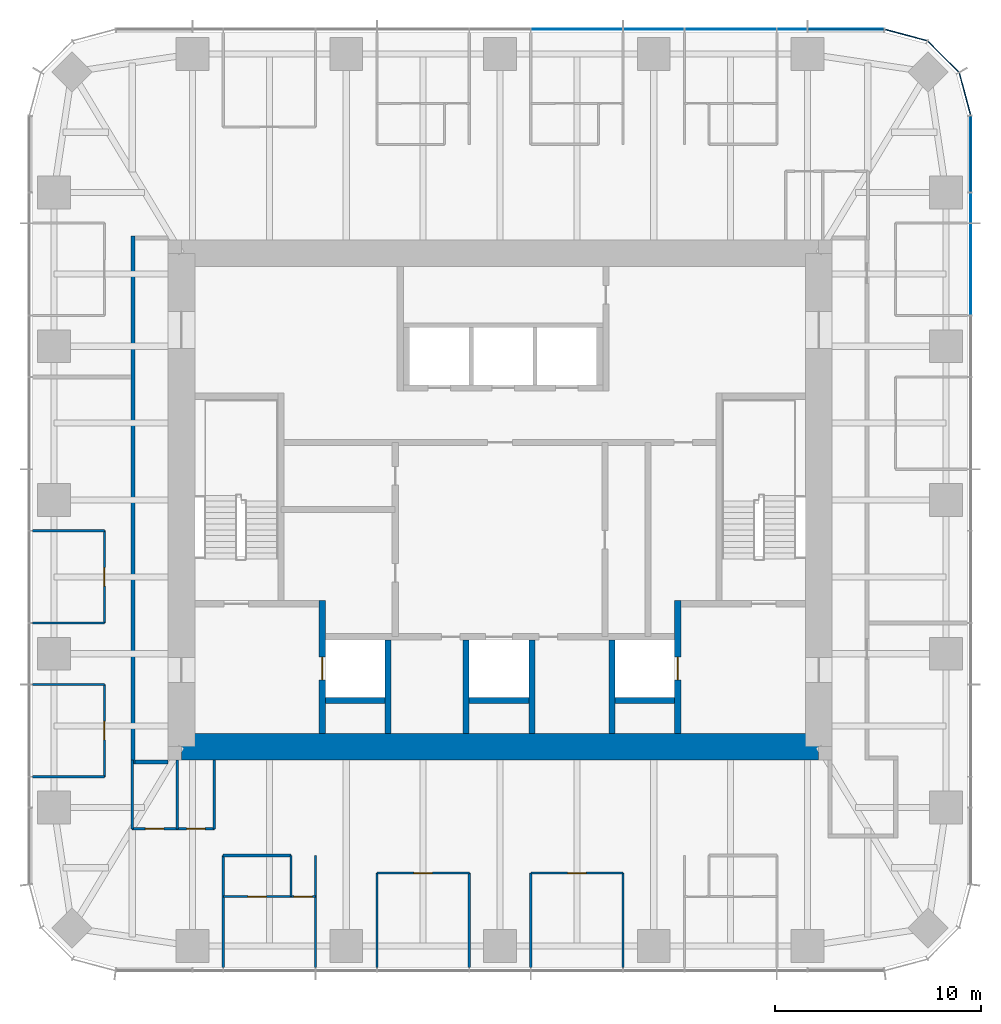
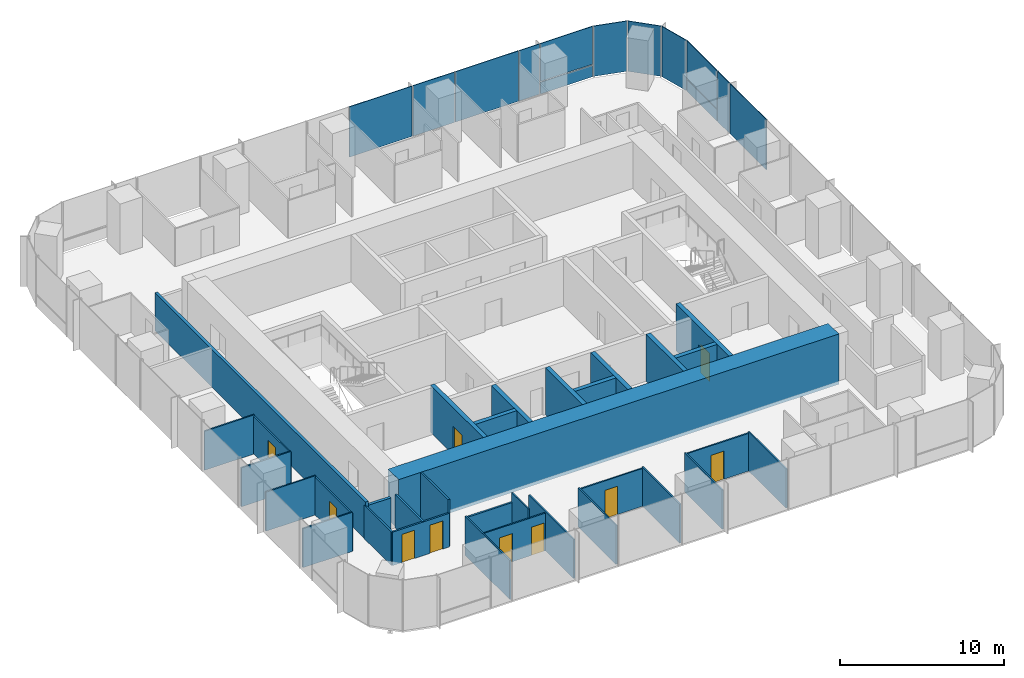
# One storey, part 8 of 12: 33 walls, 13 plates, 10 doors, 10 openings, 3 elements without a shape of their own.
"""IFC4 building model written with IfcOpenShell, lengths in metres."""

from ifc_helpers import new_model, si_unit, direction, frame, frame_2d, origin, origin_2d, place, context, subcontext, project, spatial, rectangle, extrude, material, layer, layer_set, type_object, element, fill, aggregate, save


model = new_model("IFC4")

# Units and contexts
model_context = context("Model", 3, precision=1e-05, world=origin(), true_north=direction((0.0, 1.0)))
body_context = subcontext(model_context, "Body", "Model", "MODEL_VIEW")
ifc_project = project(units=[si_unit("LENGTHUNIT", "METRE"), si_unit("AREAUNIT", "SQUARE_METRE"), si_unit("VOLUMEUNIT", "CUBIC_METRE"), si_unit("PLANEANGLEUNIT", "RADIAN"), si_unit("MASSUNIT", "GRAM", prefix="KILO")], contexts=[model_context])

# Site, building, storey
site_placement = place(None, origin())
site = spatial("IfcSite", under=ifc_project, at=site_placement, CompositionType="ELEMENT")
building_placement = place(site_placement, origin())
building = spatial("IfcBuilding", under=site, at=building_placement, Name="Khuree Lantern Residences", CompositionType="ELEMENT")
storey_placement = place(building_placement, frame((0.0, 0.0, 345.75)))
storey = spatial("IfcBuildingStorey", under=building, at=storey_placement, Name="L87", CompositionType="ELEMENT", Elevation=345.75)

# Curtain wall, plates
ifc_material_1 = material(Name="Bronze anodised aluminium", Category="aluminium")
curtain_wall_type_1 = type_object("IfcCurtainWallType", Name="CW-T2 TOWER CORNER CURTAIN WALL", PredefinedType="USERDEFINED", material=ifc_material_1)
curtain_wall_1_placement = place(storey_placement, origin())
curtain_wall_1 = element("IfcCurtainWall", 1, at=curtain_wall_1_placement, inside=storey, type_object=curtain_wall_type_1, Name="L87 NORTH-EAST CORNER CURTAIN WALL", ObjectType="Faceted corner curtain wall", PredefinedType="USERDEFINED")
ifc_material_2 = material(Name="Bronze tinted triple glazing", Category="glass")
ifc_layer_1 = layer(ifc_material_2, 0.048095703125)
ifc_layer_set_1 = layer_set([ifc_layer_1], Name="FACET PANEL P4")
plate_type_1 = type_object("IfcPlateType", Name="FACET PANEL P4", PredefinedType="CURTAIN_PANEL", material=ifc_layer_set_1)
plate_1_placement = place(storey_placement, frame((22.619140625, 19.748046875, 0.0), z_axis=(0.0, 0.0, 1.0), x_axis=(-0.2588189146, 0.965925861257, 0.0)))
plate_1 = element("IfcPlate", 2, at=plate_1_placement, type_object=plate_type_1, Name="L87 NORTH-EAST CORNER PANEL 15.1", PredefinedType="CURTAIN_PANEL", context=body_context, shape_type="SweptSolid", body=[
    extrude(rectangle(XDim=2.09814453125, YDim=0.048095703125, at=origin_2d()), origin(), (0.0, 0.0, 1.0), 3.75),
])
plate_2_placement = place(storey_placement, frame((21.568603515625, 21.568603515625, 0.0), z_axis=(0.0, 0.0, 1.0), x_axis=(-0.707106781187, 0.707106781187, 0.0)))
plate_2 = element("IfcPlate", 3, at=plate_2_placement, type_object=plate_type_1, Name="L87 NORTH-EAST CORNER PANEL 16.1", PredefinedType="CURTAIN_PANEL", context=body_context, shape_type="SweptSolid", body=[
    extrude(rectangle(XDim=2.093994140625, YDim=0.048095703125, at=origin_2d()), origin(), (0.0, 0.0, 1.0), 3.75),
])
plate_3_placement = place(storey_placement, frame((19.748046875, 22.619140625, 0.0), z_axis=(0.0, 0.0, 1.0), x_axis=(-0.965925861257, 0.2588189146, 0.0)))
plate_3 = element("IfcPlate", 4, at=plate_3_placement, type_object=plate_type_1, Name="L87 NORTH-EAST CORNER PANEL 17.1", PredefinedType="CURTAIN_PANEL", context=body_context, shape_type="SweptSolid", body=[
    extrude(rectangle(XDim=2.09814453125, YDim=0.048095703125, at=origin_2d()), origin(), (0.0, 0.0, 1.0), 3.75),
])
aggregate(curtain_wall_1, [plate_1, plate_2, plate_3])

# Curtain wall, plate
curtain_wall_type_2 = type_object("IfcCurtainWallType", Name="CW-T1 TOWER FACE CURTAIN WALL", PredefinedType="USERDEFINED", material=ifc_material_1)
curtain_wall_2_placement = place(storey_placement, origin())
curtain_wall_2 = element("IfcCurtainWall", 5, at=curtain_wall_2_placement, inside=storey, type_object=curtain_wall_type_2, Name="L87 EAST FACE CURTAIN WALL", ObjectType="Stick-built curtain wall", PredefinedType="USERDEFINED")
ifc_material_3 = material(Name="Bronze tinted triple glazing with a ceramic-fritted spandrel band", Category="glass")
ifc_layer_2 = layer(ifc_material_3, 0.048095703125)
ifc_layer_set_2 = layer_set([ifc_layer_2], Name="FIXED LIGHT PANEL P11")
plate_type_2 = type_object("IfcPlateType", Name="FIXED LIGHT PANEL P11", PredefinedType="CURTAIN_PANEL", material=ifc_layer_set_2)
plate_4_placement = place(storey_placement, frame((22.89990234375, 11.219970703125, 0.0), z_axis=(0.0, 0.0, 1.0), x_axis=(0.0, 1.0, 0.0)))
plate_4 = element("IfcPlate", 6, at=plate_4_placement, type_object=plate_type_2, Name="L87 EAST FACE PANEL 12.1", PredefinedType="CURTAIN_PANEL", context=body_context, shape_type="SweptSolid", body=[
    extrude(rectangle(XDim=4.423095703125, YDim=0.048095703125, at=origin_2d()), origin(), (0.0, 0.0, 1.0), 3.75),
])

# Curtain wall, plates
curtain_wall_3_placement = place(storey_placement, origin())
curtain_wall_3 = element("IfcCurtainWall", 7, at=curtain_wall_3_placement, inside=storey, type_object=curtain_wall_type_2, Name="L87 NORTH FACE CURTAIN WALL", ObjectType="Stick-built curtain wall", PredefinedType="USERDEFINED")
plate_5_placement = place(storey_placement, frame((11.219970703125, 22.89990234375, 0.0), z_axis=(0.0, 0.0, 1.0), x_axis=(-1.0, 0.0, 0.0)))
plate_5 = element("IfcPlate", 8, at=plate_5_placement, type_object=plate_type_2, Name="L87 NORTH FACE PANEL 20.1", PredefinedType="CURTAIN_PANEL", context=body_context, shape_type="SweptSolid", body=[
    extrude(rectangle(XDim=4.423095703125, YDim=0.048095703125, at=origin_2d()), origin(), (0.0, 0.0, 1.0), 3.75),
])
plate_6_placement = place(storey_placement, frame((3.739990234375, 22.89990234375, 0.0), z_axis=(0.0, 0.0, 1.0), x_axis=(-1.0, 0.0, 0.0)))
plate_6 = element("IfcPlate", 9, at=plate_6_placement, type_object=plate_type_2, Name="L87 NORTH FACE PANEL 22.1", PredefinedType="CURTAIN_PANEL", context=body_context, shape_type="SweptSolid", body=[
    extrude(rectangle(XDim=4.423095703125, YDim=0.048095703125, at=origin_2d()), origin(), (0.0, 0.0, 1.0), 3.75),
])
ifc_material_4 = material(Name="Bronze tinted triple glazing, two aluminium-framed sashes in one frame", Category="aluminium")
ifc_layer_3 = layer(ifc_material_4, 0.048095703125)
ifc_layer_set_3 = layer_set([ifc_layer_3], Name="SASH PAIR PANEL P12")
plate_type_3 = type_object("IfcPlateType", Name="SASH PAIR PANEL P12", PredefinedType="CURTAIN_PANEL", material=ifc_layer_set_3)
plate_7_placement = place(storey_placement, frame((7.47998046875, 22.89990234375, 0.0), z_axis=(0.0, 0.0, 1.0), x_axis=(-1.0, 0.0, 0.0)))
plate_7 = element("IfcPlate", 10, at=plate_7_placement, type_object=plate_type_3, Name="L87 NORTH FACE PANEL 21.1", PredefinedType="CURTAIN_PANEL", context=body_context, shape_type="SweptSolid", body=[
    extrude(rectangle(XDim=2.927001953125, YDim=0.048095703125, at=origin_2d()), origin(), (0.0, 0.0, 1.0), 3.75),
])

# Plate
ifc_material_5 = material(Name="Bronze tinted triple glazing, aluminium-framed sash", Category="aluminium")
ifc_layer_4 = layer(ifc_material_5, 0.048095703125)
ifc_layer_set_4 = layer_set([ifc_layer_4], Name="SASH PANEL P3")
plate_type_4 = type_object("IfcPlateType", Name="SASH PANEL P3", PredefinedType="CURTAIN_PANEL", material=ifc_layer_set_4)
plate_8_placement = place(storey_placement, frame((22.89990234375, 14.2119140625, 0.0), z_axis=(0.0, 0.0, 1.0), x_axis=(0.0, 1.0, 0.0)))
plate_8 = element("IfcPlate", 11, at=plate_8_placement, type_object=plate_type_4, Name="L87 EAST FACE PANEL 13.1", PredefinedType="CURTAIN_PANEL", context=body_context, shape_type="SweptSolid", body=[
    extrude(rectangle(XDim=1.430908203125, YDim=0.048095703125, at=origin_2d()), origin(), (0.0, 0.0, 1.0), 3.75),
])

plate_9_placement = place(storey_placement, frame((14.2119140625, 22.89990234375, 0.0), z_axis=(0.0, 0.0, 1.0), x_axis=(-1.0, 0.0, 0.0)))
plate_9 = element("IfcPlate", 12, at=plate_9_placement, type_object=plate_type_4, Name="L87 NORTH FACE PANEL 19.1", PredefinedType="CURTAIN_PANEL", context=body_context, shape_type="SweptSolid", body=[
    extrude(rectangle(XDim=1.430908203125, YDim=0.048095703125, at=origin_2d()), origin(), (0.0, 0.0, 1.0), 3.75),
])

ifc_material_6 = material(Name="Bronze anodised aluminium insulated spandrel", Category="aluminium")
ifc_layer_5 = layer(ifc_material_6, 0.06005859375)
ifc_layer_set_5 = layer_set([ifc_layer_5], Name="SPANDREL PANEL P2")
plate_type_5 = type_object("IfcPlateType", Name="SPANDREL PANEL P2", PredefinedType="CURTAIN_PANEL", material=ifc_layer_set_5)
plate_10_placement = place(storey_placement, frame((22.89990234375, 16.827880859375, 0.0), z_axis=(0.0, 0.0, 1.0), x_axis=(0.0, 1.0, 0.0)))
plate_10 = element("IfcPlate", 13, at=plate_10_placement, type_object=plate_type_5, Name="L87 EAST FACE PANEL 14.1", PredefinedType="CURTAIN_PANEL", context=body_context, shape_type="SweptSolid", body=[
    extrude(rectangle(XDim=3.670654296875, YDim=0.06005859375, at=origin_2d()), origin(), (0.0, 0.0, 1.0), 0.867431640625),
])

plate_11_placement = place(storey_placement, frame((16.827880859375, 22.89990234375, 0.0), z_axis=(0.0, 0.0, 1.0), x_axis=(-1.0, 0.0, 0.0)))
plate_11 = element("IfcPlate", 14, at=plate_11_placement, type_object=plate_type_5, Name="L87 NORTH FACE PANEL 18.1", PredefinedType="CURTAIN_PANEL", context=body_context, shape_type="SweptSolid", body=[
    extrude(rectangle(XDim=3.670654296875, YDim=0.06005859375, at=origin_2d()), origin(), (0.0, 0.0, 1.0), 0.867431640625),
])

ifc_layer_6 = layer(ifc_material_2, 0.048095703125)
ifc_layer_set_6 = layer_set([ifc_layer_6], Name="VISION PANEL P1")
plate_type_6 = type_object("IfcPlateType", Name="VISION PANEL P1", PredefinedType="CURTAIN_PANEL", material=ifc_layer_set_6)
plate_12_placement = place(storey_placement, frame((22.89990234375, 16.828369140625, 0.9326171875), z_axis=(0.0, 0.0, 1.0), x_axis=(0.0, 1.0, 0.0)))
plate_12 = element("IfcPlate", 15, at=plate_12_placement, type_object=plate_type_6, Name="L87 EAST FACE PANEL 14.2", PredefinedType="CURTAIN_PANEL", context=body_context, shape_type="SweptSolid", body=[
    extrude(rectangle(XDim=3.671630859375, YDim=0.048095703125, at=origin_2d()), origin(), (0.0, 0.0, 1.0), 2.8173828125),
])

aggregate(curtain_wall_2, [plate_4, plate_8, plate_10, plate_12])

plate_13_placement = place(storey_placement, frame((16.828369140625, 22.89990234375, 0.9326171875), z_axis=(0.0, 0.0, 1.0), x_axis=(-1.0, 0.0, 0.0)))
plate_13 = element("IfcPlate", 16, at=plate_13_placement, type_object=plate_type_6, Name="L87 NORTH FACE PANEL 18.2", PredefinedType="CURTAIN_PANEL", context=body_context, shape_type="SweptSolid", body=[
    extrude(rectangle(XDim=3.671630859375, YDim=0.048095703125, at=origin_2d()), origin(), (0.0, 0.0, 1.0), 2.8173828125),
])

aggregate(curtain_wall_3, [plate_11, plate_13, plate_9, plate_5, plate_7, plate_6])

# Wall
ifc_material_7 = material(Name="Moisture-resistant gypsum board on steel studs", Category="steel")
ifc_layer_7 = layer(ifc_material_7, 0.125)
ifc_layer_set_7 = layer_set([ifc_layer_7], Name="BATHROOM WALL BTW125")
wall_type_1 = type_object("IfcWallType", Name="BATHROOM WALL BTW125", PredefinedType="PARTITIONING", material=ifc_layer_set_7)
wall_1_placement = place(storey_placement, frame((-13.464111328125, -17.29638671875, 0.0), z_axis=(0.0, 0.0, 1.0), x_axis=(1.0, 0.0, 0.0)))
element("IfcWall", 17, at=wall_1_placement, inside=storey, type_object=wall_type_1, Name="L87 BATHROOM WALL 02", PredefinedType="PARTITIONING", context=body_context, shape_type="SweptSolid", body=[
    extrude(rectangle(XDim=3.2880859375, YDim=0.125, at=frame_2d((1.64404296875, 0.0))), origin(), (0.0, 0.0, 1.0), 2.81005859375),
])

# Wall, openings, doors
wall_2_placement = place(storey_placement, frame((-17.89990234375, -15.996337890625, 0.0), z_axis=(0.0, 0.0, 1.0), x_axis=(1.0, 0.0, 0.0)))
wall_2 = element("IfcWall", 18, at=wall_2_placement, inside=storey, type_object=wall_type_1, Name="L87 BATHROOM WALL 02", PredefinedType="PARTITIONING", context=body_context, shape_type="SweptSolid", body=[
    extrude(rectangle(XDim=4.0, YDim=0.125, at=frame_2d((2.0, 0.0))), origin(), (0.0, 0.0, 1.0), 2.5),
])
opening_1_placement = place(wall_2_placement, frame((0.64990234375, 0.0, 0.0)))
opening_1 = element("IfcOpeningElement", 19, at=opening_1_placement, cuts=wall_2, Name="Opening 87-042", PredefinedType="OPENING", context=body_context, shape_type="SweptSolid", body=[
    extrude(rectangle(XDim=0.89990234375, YDim=2.10009765625, at=frame_2d((0.449951171875, 1.050048828125))), frame((0.0, 0.072509765625, 0.0), z_axis=(0.0, -1.0, 0.0), x_axis=(1.0, 0.0, 0.0)), (0.0, 0.0, 1.0), 0.14501953125),
])
opening_2_placement = place(wall_2_placement, frame((2.64990234375, 0.0, 0.0)))
opening_2 = element("IfcOpeningElement", 20, at=opening_2_placement, cuts=wall_2, Name="Opening 87-043", PredefinedType="OPENING", context=body_context, shape_type="SweptSolid", body=[
    extrude(rectangle(XDim=0.89990234375, YDim=2.10009765625, at=frame_2d((0.449951171875, 1.050048828125))), frame((0.0, 0.072509765625, 0.0), z_axis=(0.0, -1.0, 0.0), x_axis=(1.0, 0.0, 0.0)), (0.0, 0.0, 1.0), 0.14501953125),
])
ifc_material_8 = material(Name="Timber door leaf in hardwood frame", Category="wood")
door_type_1 = type_object("IfcDoorType", Name="BATHROOM DOOR 900X2100", OperationType="SINGLE_SWING_LEFT", PredefinedType="DOOR", material=ifc_material_8)
door_1_placement = place(opening_1_placement, origin())
door_1 = element("IfcDoor", 21, at=door_1_placement, inside=storey, type_object=door_type_1, Name="Bathroom door 87-042", OperationType="SINGLE_SWING_LEFT", OverallHeight=2.10009765625, OverallWidth=0.89990234375, PredefinedType="DOOR", context=body_context, shape_type="SweptSolid", body=[
    extrude(rectangle(XDim=0.89990234375, YDim=2.10009765625, at=frame_2d((0.449951171875, 1.050048828125))), frame((0.0, 0.02490234375, 0.0), z_axis=(0.0, -1.0, 0.0), x_axis=(1.0, 0.0, 0.0)), (0.0, 0.0, 1.0), 0.050048828125),
])
fill(opening_1, door_1)
door_type_2 = type_object("IfcDoorType", Name="DOOR 900X2100", OperationType="SINGLE_SWING_LEFT", PredefinedType="DOOR", material=ifc_material_8)
door_2_placement = place(opening_2_placement, origin())
door_2 = element("IfcDoor", 22, at=door_2_placement, inside=storey, type_object=door_type_2, Name="Store door 87-043", OperationType="SINGLE_SWING_LEFT", OverallHeight=2.10009765625, OverallWidth=0.89990234375, PredefinedType="DOOR", context=body_context, shape_type="SweptSolid", body=[
    extrude(rectangle(XDim=0.89990234375, YDim=2.10009765625, at=frame_2d((0.449951171875, 1.050048828125))), frame((0.0, 0.02490234375, 0.0), z_axis=(0.0, -1.0, 0.0), x_axis=(1.0, 0.0, 0.0)), (0.0, 0.0, 1.0), 0.050048828125),
])
fill(opening_2, door_2)

# Walls
for number, where, z_axis, x_axis, name in (
    (23, (-17.89990234375, -12.64990234375, 0.0), (0.0, 0.0, 1.0), (0.0, -1.0, 0.0), "L87 BATHROOM WALL 02"),
    (24, (-15.699951171875, -12.64990234375, 0.0), (0.0, 0.0, 1.0), (0.0, -1.0, 0.0), "L87 BATHROOM WALL 02"),
):
    element("IfcWall", number, at=place(storey_placement, frame(where, z_axis=z_axis, x_axis=x_axis)), inside=storey, type_object=wall_type_1, Name=name, PredefinedType="PARTITIONING", context=body_context, shape_type="SweptSolid", body=[
        extrude(rectangle(XDim=3.346435546875, YDim=0.125, at=frame_2d((1.67333984375, 0.0))), origin(), (0.0, 0.0, 1.0), 2.5),
    ])
wall_3_placement = place(storey_placement, frame((-13.89990234375, -12.64990234375, 0.0), z_axis=(0.0, 0.0, 1.0), x_axis=(0.0, -1.0, 0.0)))
element("IfcWall", 25, at=wall_3_placement, inside=storey, type_object=wall_type_1, Name="L87 BATHROOM WALL 02", PredefinedType="PARTITIONING", context=body_context, shape_type="SweptSolid", body=[
    extrude(rectangle(XDim=3.346435546875, YDim=0.125, at=frame_2d((1.67333984375, 0.0))), origin(), (0.0, 0.0, 1.0), 3.5),
])

# Wall, opening, door
ifc_material_9 = material(Name="Dense concrete blockwork", Category="masonry")
ifc_layer_8 = layer(ifc_material_9, 0.300048828125)
ifc_layer_set_8 = layer_set([ifc_layer_8], Name="CORE PARTITION WALL CPW300 EI 120")
wall_type_2 = type_object("IfcWallType", Name="CORE PARTITION WALL CPW300 EI 120", PredefinedType="PARTITIONING", material=ifc_layer_set_8)
wall_4_placement = place(storey_placement, frame((-8.64990234375, -11.35009765625, 0.0), z_axis=(0.0, 0.0, 1.0), x_axis=(0.0, 1.0, 0.0)))
wall_4 = element("IfcWall", 26, at=wall_4_placement, inside=storey, type_object=wall_type_2, Name="L87 CORE WALL FL1W", PredefinedType="PARTITIONING", context=body_context, shape_type="SweptSolid", body=[
    extrude(rectangle(XDim=6.4501953125, YDim=0.300048828125, at=frame_2d((3.22509765625, 0.0))), origin(), (0.0, 0.0, 1.0), 3.5),
])
opening_3_placement = place(wall_4_placement, frame((2.60009765625, 0.0, 0.0)))
opening_3 = element("IfcOpeningElement", 27, at=opening_3_placement, cuts=wall_4, Name="Opening 87-007", PredefinedType="OPENING", context=body_context, shape_type="SweptSolid", body=[
    extrude(rectangle(XDim=1.10009765625, YDim=2.10009765625, at=frame_2d((0.550048828125, 1.050048828125))), frame((0.0, 0.16015625, 0.0), z_axis=(0.0, -1.0, 0.0), x_axis=(1.0, 0.0, 0.0)), (0.0, 0.0, 1.0), 0.320068359375),
])
ifc_material_10 = material(Name="Stainless steel lift landing door", Category="steel")
door_type_3 = type_object("IfcDoorType", Name="LIFT LANDING DOOR 1100X2100 E 120", OperationType="DOUBLE_DOOR_SLIDING", PredefinedType="DOOR", material=ifc_material_10)
door_3_placement = place(opening_3_placement, origin())
door_3 = element("IfcDoor", 28, at=door_3_placement, inside=storey, type_object=door_type_3, Name="Landing door FL1 87-007", OperationType="DOUBLE_DOOR_SLIDING", OverallHeight=2.10009765625, OverallWidth=1.10009765625, PredefinedType="DOOR", context=body_context, shape_type="SweptSolid", body=[
    extrude(rectangle(XDim=1.10009765625, YDim=2.10009765625, at=frame_2d((0.550048828125, 1.050048828125))), frame((0.0, 0.02490234375, 0.0), z_axis=(0.0, -1.0, 0.0), x_axis=(1.0, 0.0, 0.0)), (0.0, 0.0, 1.0), 0.050048828125),
])
fill(opening_3, door_3)

wall_5_placement = place(storey_placement, frame((8.64990234375, -11.35009765625, 0.0), z_axis=(0.0, 0.0, 1.0), x_axis=(0.0, 1.0, 0.0)))
wall_5 = element("IfcWall", 29, at=wall_5_placement, inside=storey, type_object=wall_type_2, Name="L87 CORE WALL FL2E", PredefinedType="PARTITIONING", context=body_context, shape_type="SweptSolid", body=[
    extrude(rectangle(XDim=6.4501953125, YDim=0.300048828125, at=frame_2d((3.22509765625, 0.0))), origin(), (0.0, 0.0, 1.0), 3.5),
])
opening_4_placement = place(wall_5_placement, frame((2.60009765625, 0.0, 0.0)))
opening_4 = element("IfcOpeningElement", 30, at=opening_4_placement, cuts=wall_5, Name="Opening 87-008", PredefinedType="OPENING", context=body_context, shape_type="SweptSolid", body=[
    extrude(rectangle(XDim=1.10009765625, YDim=2.10009765625, at=frame_2d((0.550048828125, 1.050048828125))), frame((0.0, 0.16015625, 0.0), z_axis=(0.0, -1.0, 0.0), x_axis=(1.0, 0.0, 0.0)), (0.0, 0.0, 1.0), 0.320068359375),
])
door_4_placement = place(opening_4_placement, origin())
door_4 = element("IfcDoor", 31, at=door_4_placement, inside=storey, type_object=door_type_3, Name="Landing door FL2 87-008", OperationType="DOUBLE_DOOR_SLIDING", OverallHeight=2.10009765625, OverallWidth=1.10009765625, PredefinedType="DOOR", context=body_context, shape_type="SweptSolid", body=[
    extrude(rectangle(XDim=1.10009765625, YDim=2.10009765625, at=frame_2d((0.550048828125, 1.050048828125))), frame((0.0, 0.02490234375, 0.0), z_axis=(0.0, -1.0, 0.0), x_axis=(1.0, 0.0, 0.0)), (0.0, 0.0, 1.0), 0.050048828125),
])
fill(opening_4, door_4)

# Walls
for number, where, z_axis, x_axis, name in (
    (32, (-5.449951171875, -11.35009765625, 0.0), (0.0, 0.0, 1.0), (0.0, 1.0, 0.0), "L87 CORE WALL FL1E"),
    (33, (-1.64990234375, -11.35009765625, 0.0), (0.0, 0.0, 1.0), (0.0, 1.0, 0.0), "L87 CORE WALL SL1W"),
    (34, (1.550048828125, -11.35009765625, 0.0), (0.0, 0.0, 1.0), (0.0, 1.0, 0.0), "L87 CORE WALL SL1E"),
    (35, (5.449951171875, -11.35009765625, 0.0), (0.0, 0.0, 1.0), (0.0, 1.0, 0.0), "L87 CORE WALL FL2W"),
):
    element("IfcWall", number, at=place(storey_placement, frame(where, z_axis=z_axis, x_axis=x_axis)), inside=storey, type_object=wall_type_2, Name=name, PredefinedType="PARTITIONING", context=body_context, shape_type="SweptSolid", body=[
        extrude(rectangle(XDim=4.550048828125, YDim=0.300048828125, at=frame_2d((2.27490234375, 0.0))), origin(), (0.0, 0.0, 1.0), 3.5),
    ])
for number, where, z_axis, x_axis, name in (
    (36, (-8.5, -9.75, 0.0), (0.0, 0.0, 1.0), (1.0, 0.0, 0.0), "L87 CORE WALL FL1S"),
    (37, (-1.5, -9.75, 0.0), (0.0, 0.0, 1.0), (1.0, 0.0, 0.0), "L87 CORE WALL SL1S"),
    (38, (5.60009765625, -9.75, 0.0), (0.0, 0.0, 1.0), (1.0, 0.0, 0.0), "L87 CORE WALL FL2S"),
):
    element("IfcWall", number, at=place(storey_placement, frame(where, z_axis=z_axis, x_axis=x_axis)), inside=storey, type_object=wall_type_2, Name=name, PredefinedType="PARTITIONING", context=body_context, shape_type="SweptSolid", body=[
        extrude(rectangle(XDim=2.89990234375, YDim=0.300048828125, at=frame_2d((1.449951171875, 0.0))), origin(), (0.0, 0.0, 1.0), 3.5),
    ])
ifc_material_11 = material(Name="Gypsum board on steel studs", Category="steel")
ifc_layer_9 = layer(ifc_material_11, 0.199951171875)
ifc_layer_set_9 = layer_set([ifc_layer_9], Name="CORRIDOR WALL CRW200 EI 60")
wall_type_3 = type_object("IfcWallType", Name="CORRIDOR WALL CRW200 EI 60", PredefinedType="PARTITIONING", material=ifc_layer_set_9)
wall_6_placement = place(storey_placement, frame((-16.14990234375, -12.75, 0.0), z_axis=(0.0, 0.0, 1.0), x_axis=(-1.0, 0.0, 0.0)))
element("IfcWall", 39, at=wall_6_placement, inside=storey, type_object=wall_type_3, Name="L87 WEST CORRIDOR SOUTH END WALL", PredefinedType="PARTITIONING", context=body_context, shape_type="SweptSolid", body=[
    extrude(rectangle(XDim=1.60009765625, YDim=0.199951171875, at=frame_2d((0.800048828125, 0.0))), origin(), (0.0, 0.0, 1.0), 2.5),
])
wall_7_placement = place(storey_placement, frame((-17.85009765625, 12.85009765625, 0.0), z_axis=(0.0, 0.0, 1.0), x_axis=(0.0, -1.0, 0.0)))
element("IfcWall", 40, at=wall_7_placement, inside=storey, type_object=wall_type_3, Name="L87 CORRIDOR WALL WEST 1", PredefinedType="PARTITIONING", context=body_context, shape_type="SweptSolid", body=[
    extrude(rectangle(XDim=25.7001953125, YDim=0.199951171875, at=frame_2d((12.85009765625, 0.0))), origin(), (0.0, 0.0, 1.0), 2.81005859375),
])
ifc_material_12 = material(Name="Concrete C50/60", Category="concrete")
ifc_layer_10 = layer(ifc_material_12, 1.300048828125)
ifc_layer_set_10 = layer_set([ifc_layer_10], Name="CW1300-C50 CORE WALL C50 1300")
wall_type_4 = type_object("IfcWallType", Name="CW1300-C50 CORE WALL C50 1300", PredefinedType="SHEAR", material=ifc_layer_set_10)
wall_8_placement = place(storey_placement, frame((-15.5, -12.0, -0.25), z_axis=(0.0, 0.0, 1.0), x_axis=(1.0, 0.0, 0.0)))
element("IfcWall", 41, at=wall_8_placement, inside=storey, type_object=wall_type_4, Name="Core wall S", PredefinedType="SHEAR", context=body_context, shape_type="SweptSolid", body=[
    extrude(rectangle(XDim=31.0, YDim=1.300048828125, at=frame_2d((15.5, 0.0))), origin(), (0.0, 0.0, 1.0), 3.75),
])
ifc_layer_11 = layer(ifc_material_11, 0.10009765625)
ifc_layer_set_11 = layer_set([ifc_layer_11], Name="PARTITION PT100")
wall_type_5 = type_object("IfcWallType", Name="PARTITION PT100", PredefinedType="PARTITIONING", material=ifc_layer_set_11)
for number, where, z_axis, x_axis, name in (
    (42, (-19.25, -1.49609375, 0.0), (0.0, 0.0, 1.0), (-1.0, 0.0, 0.0), "L87 PARTITION 02"),
    (43, (-19.25, -5.98388671875, 0.0), (0.0, 0.0, 1.0), (-1.0, 0.0, 0.0), "L87 PARTITION 02"),
    (44, (-19.25, -8.97607421875, 0.0), (0.0, 0.0, 1.0), (-1.0, 0.0, 0.0), "L87 PARTITION 02"),
    (45, (-19.25, -13.464111328125, 0.0), (0.0, 0.0, 1.0), (-1.0, 0.0, 0.0), "L87 PARTITION 02"),
):
    element("IfcWall", number, at=place(storey_placement, frame(where, z_axis=z_axis, x_axis=x_axis)), inside=storey, type_object=wall_type_5, Name=name, PredefinedType="PARTITIONING", context=body_context, shape_type="SweptSolid", body=[
        extrude(rectangle(XDim=3.5, YDim=0.10009765625, at=frame_2d((1.75, 0.0))), origin(), (0.0, 0.0, 1.0), 2.909912109375),
    ])
for number, where, z_axis, x_axis, name in (
    (46, (-13.464111328125, -17.29638671875, 0.0), (0.0, 0.0, 1.0), (0.0, -1.0, 0.0), "L87 PARTITION 02"),
    (47, (-8.97607421875, -17.29638671875, 0.0), (0.0, 0.0, 1.0), (0.0, -1.0, 0.0), "L87 PARTITION 02"),
):
    element("IfcWall", number, at=place(storey_placement, frame(where, z_axis=z_axis, x_axis=x_axis)), inside=storey, type_object=wall_type_5, Name=name, PredefinedType="PARTITIONING", context=body_context, shape_type="SweptSolid", body=[
        extrude(rectangle(XDim=5.45361328125, YDim=0.10009765625, at=frame_2d((2.726806640625, 0.0))), origin(), (0.0, 0.0, 1.0), 2.909912109375),
    ])
for number, where, z_axis, x_axis, name in (
    (48, (-5.98388671875, -18.14990234375, 0.0), (0.0, 0.0, 1.0), (0.0, -1.0, 0.0), "L87 PARTITION 02"),
    (49, (-1.49609375, -18.14990234375, 0.0), (0.0, 0.0, 1.0), (0.0, -1.0, 0.0), "L87 PARTITION 02"),
    (50, (1.49609375, -18.14990234375, 0.0), (0.0, 0.0, 1.0), (0.0, -1.0, 0.0), "L87 PARTITION 02"),
    (51, (5.98388671875, -18.14990234375, 0.0), (0.0, 0.0, 1.0), (0.0, -1.0, 0.0), "L87 PARTITION 02"),
):
    element("IfcWall", number, at=place(storey_placement, frame(where, z_axis=z_axis, x_axis=x_axis)), inside=storey, type_object=wall_type_5, Name=name, PredefinedType="PARTITIONING", context=body_context, shape_type="SweptSolid", body=[
        extrude(rectangle(XDim=4.60009765625, YDim=0.10009765625, at=frame_2d((2.300048828125, 0.0))), origin(), (0.0, 0.0, 1.0), 2.909912109375),
    ])

# Wall, opening, door
wall_9_placement = place(storey_placement, frame((-19.25, -1.49609375, 0.0), z_axis=(0.0, 0.0, 1.0), x_axis=(0.0, -1.0, 0.0)))
wall_9 = element("IfcWall", 52, at=wall_9_placement, inside=storey, type_object=wall_type_5, Name="L87 PARTITION 02", PredefinedType="PARTITIONING", context=body_context, shape_type="SweptSolid", body=[
    extrude(rectangle(XDim=4.48779296875, YDim=0.10009765625, at=frame_2d((2.243896484375, 0.0))), origin(), (0.0, 0.0, 1.0), 2.81005859375),
])
opening_5_placement = place(wall_9_placement, frame((1.7939453125, 0.0, 0.0)))
opening_5 = element("IfcOpeningElement", 53, at=opening_5_placement, cuts=wall_9, Name="Opening 87-034", PredefinedType="OPENING", context=body_context, shape_type="SweptSolid", body=[
    extrude(rectangle(XDim=0.89990234375, YDim=2.10009765625, at=frame_2d((0.449951171875, 1.050048828125))), frame((0.0, 0.06005859375, 0.0), z_axis=(0.0, -1.0, 0.0), x_axis=(1.0, 0.0, 0.0)), (0.0, 0.0, 1.0), 0.1201171875),
])
door_type_4 = type_object("IfcDoorType", Name="BEDROOM DOOR 900X2100", OperationType="SINGLE_SWING_LEFT", PredefinedType="DOOR", material=ifc_material_8)
door_5_placement = place(opening_5_placement, origin())
door_5 = element("IfcDoor", 54, at=door_5_placement, inside=storey, type_object=door_type_4, Name="Bedroom door 87-034", OperationType="SINGLE_SWING_LEFT", OverallHeight=2.10009765625, OverallWidth=0.89990234375, PredefinedType="DOOR", context=body_context, shape_type="SweptSolid", body=[
    extrude(rectangle(XDim=0.89990234375, YDim=2.10009765625, at=frame_2d((0.449951171875, 1.050048828125))), frame((0.0, 0.02490234375, 0.0), z_axis=(0.0, -1.0, 0.0), x_axis=(1.0, 0.0, 0.0)), (0.0, 0.0, 1.0), 0.050048828125),
])
fill(opening_5, door_5)

wall_10_placement = place(storey_placement, frame((-19.25, -8.97607421875, 0.0), z_axis=(0.0, 0.0, 1.0), x_axis=(0.0, -1.0, 0.0)))
wall_10 = element("IfcWall", 55, at=wall_10_placement, inside=storey, type_object=wall_type_5, Name="L87 PARTITION 02", PredefinedType="PARTITIONING", context=body_context, shape_type="SweptSolid", body=[
    extrude(rectangle(XDim=4.488037109375, YDim=0.10009765625, at=frame_2d((2.244140625, 0.0))), origin(), (0.0, 0.0, 1.0), 2.81005859375),
])
opening_6_placement = place(wall_10_placement, frame((1.7939453125, 0.0, 0.0)))
opening_6 = element("IfcOpeningElement", 56, at=opening_6_placement, cuts=wall_10, Name="Opening 87-035", PredefinedType="OPENING", context=body_context, shape_type="SweptSolid", body=[
    extrude(rectangle(XDim=0.89990234375, YDim=2.10009765625, at=frame_2d((0.449951171875, 1.050048828125))), frame((0.0, 0.06005859375, 0.0), z_axis=(0.0, -1.0, 0.0), x_axis=(1.0, 0.0, 0.0)), (0.0, 0.0, 1.0), 0.1201171875),
])
door_6_placement = place(opening_6_placement, origin())
door_6 = element("IfcDoor", 57, at=door_6_placement, inside=storey, type_object=door_type_4, Name="Bedroom door 87-035", OperationType="SINGLE_SWING_LEFT", OverallHeight=2.10009765625, OverallWidth=0.89990234375, PredefinedType="DOOR", context=body_context, shape_type="SweptSolid", body=[
    extrude(rectangle(XDim=0.89990234375, YDim=2.10009765625, at=frame_2d((0.449951171875, 1.050048828125))), frame((0.0, 0.02490234375, 0.0), z_axis=(0.0, -1.0, 0.0), x_axis=(1.0, 0.0, 0.0)), (0.0, 0.0, 1.0), 0.050048828125),
])
fill(opening_6, door_6)

# Wall, openings, doors
wall_11_placement = place(storey_placement, frame((-13.464111328125, -19.29638671875, 0.0), z_axis=(0.0, 0.0, 1.0), x_axis=(1.0, 0.0, 0.0)))
wall_11 = element("IfcWall", 58, at=wall_11_placement, inside=storey, type_object=wall_type_5, Name="L87 PARTITION 02", PredefinedType="PARTITIONING", context=body_context, shape_type="SweptSolid", body=[
    extrude(rectangle(XDim=4.488037109375, YDim=0.10009765625, at=frame_2d((2.244140625, 0.0))), origin(), (0.0, 0.0, 1.0), 2.81005859375),
])
opening_7_placement = place(wall_11_placement, frame((3.43798828125, 0.0, 0.0)))
opening_7 = element("IfcOpeningElement", 59, at=opening_7_placement, cuts=wall_11, Name="Opening 87-036", PredefinedType="OPENING", context=body_context, shape_type="SweptSolid", body=[
    extrude(rectangle(XDim=0.89990234375, YDim=2.10009765625, at=frame_2d((0.449951171875, 1.050048828125))), frame((0.0, 0.06005859375, 0.0), z_axis=(0.0, -1.0, 0.0), x_axis=(1.0, 0.0, 0.0)), (0.0, 0.0, 1.0), 0.1201171875),
])
opening_8_placement = place(wall_11_placement, frame((1.194091796875, 0.0, 0.0)))
opening_8 = element("IfcOpeningElement", 60, at=opening_8_placement, cuts=wall_11, Name="Opening 87-037", PredefinedType="OPENING", context=body_context, shape_type="SweptSolid", body=[
    extrude(rectangle(XDim=0.89990234375, YDim=2.10009765625, at=frame_2d((0.449951171875, 1.050048828125))), frame((0.0, 0.06005859375, 0.0), z_axis=(0.0, -1.0, 0.0), x_axis=(1.0, 0.0, 0.0)), (0.0, 0.0, 1.0), 0.1201171875),
])
door_7_placement = place(opening_8_placement, origin())
door_7 = element("IfcDoor", 61, at=door_7_placement, inside=storey, type_object=door_type_1, Name="Bathroom door 87-037", OperationType="SINGLE_SWING_LEFT", OverallHeight=2.10009765625, OverallWidth=0.89990234375, PredefinedType="DOOR", context=body_context, shape_type="SweptSolid", body=[
    extrude(rectangle(XDim=0.89990234375, YDim=2.10009765625, at=frame_2d((0.449951171875, 1.050048828125))), frame((0.0, 0.02490234375, 0.0), z_axis=(0.0, -1.0, 0.0), x_axis=(1.0, 0.0, 0.0)), (0.0, 0.0, 1.0), 0.050048828125),
])
fill(opening_8, door_7)
door_8_placement = place(opening_7_placement, origin())
door_8 = element("IfcDoor", 62, at=door_8_placement, inside=storey, type_object=door_type_4, Name="Bedroom door 87-036", OperationType="SINGLE_SWING_LEFT", OverallHeight=2.10009765625, OverallWidth=0.89990234375, PredefinedType="DOOR", context=body_context, shape_type="SweptSolid", body=[
    extrude(rectangle(XDim=0.89990234375, YDim=2.10009765625, at=frame_2d((0.449951171875, 1.050048828125))), frame((0.0, 0.02490234375, 0.0), z_axis=(0.0, -1.0, 0.0), x_axis=(1.0, 0.0, 0.0)), (0.0, 0.0, 1.0), 0.050048828125),
])
fill(opening_7, door_8)

# Wall
wall_12_placement = place(storey_placement, frame((-10.176025390625, -17.29638671875, 0.0), z_axis=(0.0, 0.0, 1.0), x_axis=(0.0, -1.0, 0.0)))
element("IfcWall", 63, at=wall_12_placement, inside=storey, type_object=wall_type_5, Name="L87 PARTITION 02", PredefinedType="PARTITIONING", context=body_context, shape_type="SweptSolid", body=[
    extrude(rectangle(XDim=2.0, YDim=0.10009765625, at=frame_2d((1.0, 0.0))), origin(), (0.0, 0.0, 1.0), 3.5),
])

# Wall, opening, door
wall_13_placement = place(storey_placement, frame((-5.98388671875, -18.14990234375, 0.0), z_axis=(0.0, 0.0, 1.0), x_axis=(1.0, 0.0, 0.0)))
wall_13 = element("IfcWall", 64, at=wall_13_placement, inside=storey, type_object=wall_type_5, Name="L87 PARTITION 02", PredefinedType="PARTITIONING", context=body_context, shape_type="SweptSolid", body=[
    extrude(rectangle(XDim=4.48779296875, YDim=0.10009765625, at=frame_2d((2.243896484375, 0.0))), origin(), (0.0, 0.0, 1.0), 2.81005859375),
])
opening_9_placement = place(wall_13_placement, frame((1.7939453125, 0.0, 0.0)))
opening_9 = element("IfcOpeningElement", 65, at=opening_9_placement, cuts=wall_13, Name="Opening 87-038", PredefinedType="OPENING", context=body_context, shape_type="SweptSolid", body=[
    extrude(rectangle(XDim=0.89990234375, YDim=2.10009765625, at=frame_2d((0.449951171875, 1.050048828125))), frame((0.0, 0.06005859375, 0.0), z_axis=(0.0, -1.0, 0.0), x_axis=(1.0, 0.0, 0.0)), (0.0, 0.0, 1.0), 0.1201171875),
])
door_9_placement = place(opening_9_placement, origin())
door_9 = element("IfcDoor", 66, at=door_9_placement, inside=storey, type_object=door_type_4, Name="Bedroom door 87-038", OperationType="SINGLE_SWING_LEFT", OverallHeight=2.10009765625, OverallWidth=0.89990234375, PredefinedType="DOOR", context=body_context, shape_type="SweptSolid", body=[
    extrude(rectangle(XDim=0.89990234375, YDim=2.10009765625, at=frame_2d((0.449951171875, 1.050048828125))), frame((0.0, 0.02490234375, 0.0), z_axis=(0.0, -1.0, 0.0), x_axis=(1.0, 0.0, 0.0)), (0.0, 0.0, 1.0), 0.050048828125),
])
fill(opening_9, door_9)

wall_14_placement = place(storey_placement, frame((1.49609375, -18.14990234375, 0.0), z_axis=(0.0, 0.0, 1.0), x_axis=(1.0, 0.0, 0.0)))
wall_14 = element("IfcWall", 67, at=wall_14_placement, inside=storey, type_object=wall_type_5, Name="L87 PARTITION 02", PredefinedType="PARTITIONING", context=body_context, shape_type="SweptSolid", body=[
    extrude(rectangle(XDim=4.48779296875, YDim=0.10009765625, at=frame_2d((2.243896484375, 0.0))), origin(), (0.0, 0.0, 1.0), 2.81005859375),
])
opening_10_placement = place(wall_14_placement, frame((1.7939453125, 0.0, 0.0)))
opening_10 = element("IfcOpeningElement", 68, at=opening_10_placement, cuts=wall_14, Name="Opening 87-039", PredefinedType="OPENING", context=body_context, shape_type="SweptSolid", body=[
    extrude(rectangle(XDim=0.89990234375, YDim=2.10009765625, at=frame_2d((0.449951171875, 1.050048828125))), frame((0.0, 0.06005859375, 0.0), z_axis=(0.0, -1.0, 0.0), x_axis=(1.0, 0.0, 0.0)), (0.0, 0.0, 1.0), 0.1201171875),
])
door_10_placement = place(opening_10_placement, origin())
door_10 = element("IfcDoor", 69, at=door_10_placement, inside=storey, type_object=door_type_4, Name="Bedroom door 87-039", OperationType="SINGLE_SWING_LEFT", OverallHeight=2.10009765625, OverallWidth=0.89990234375, PredefinedType="DOOR", context=body_context, shape_type="SweptSolid", body=[
    extrude(rectangle(XDim=0.89990234375, YDim=2.10009765625, at=frame_2d((0.449951171875, 1.050048828125))), frame((0.0, 0.02490234375, 0.0), z_axis=(0.0, -1.0, 0.0), x_axis=(1.0, 0.0, 0.0)), (0.0, 0.0, 1.0), 0.050048828125),
])
fill(opening_10, door_10)

save(model, "model.ifc")
